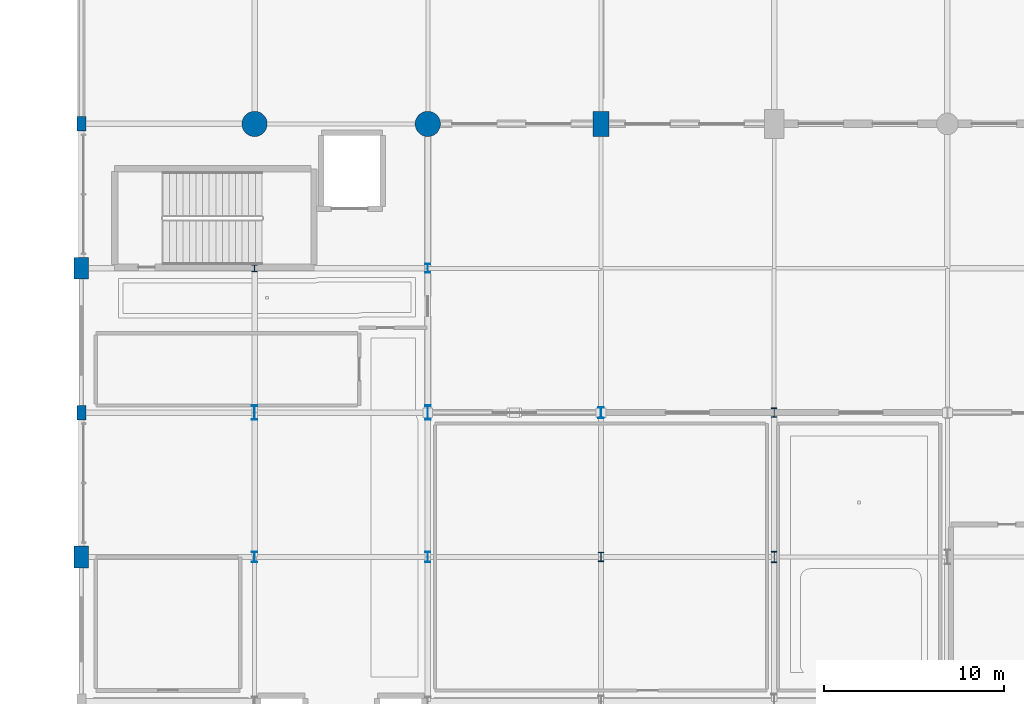
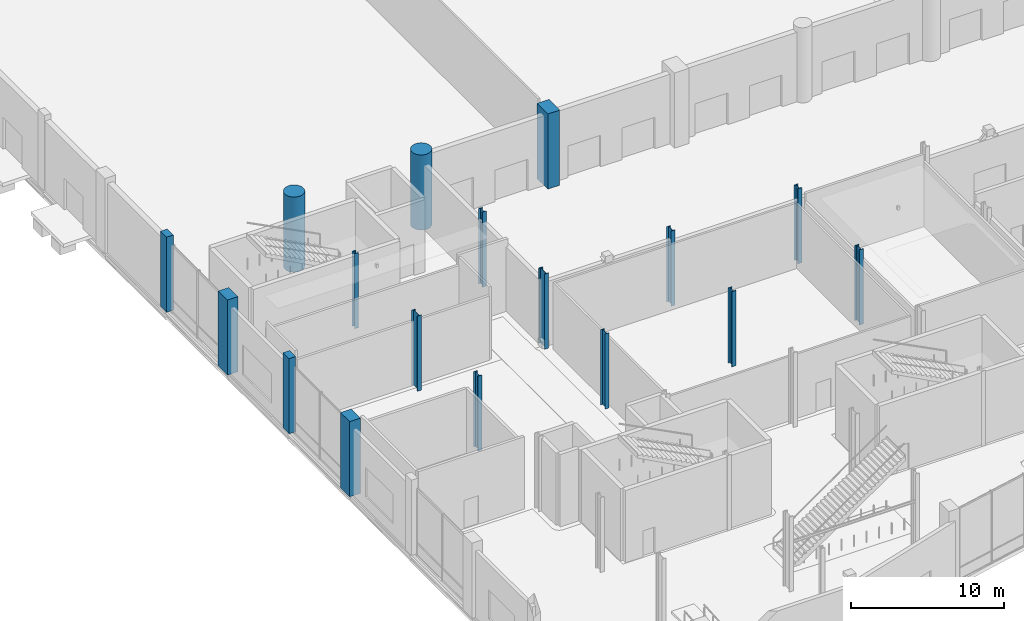
# One storey, part 8 of 124: 17 columns.
"""IFC4 building model written with IfcOpenShell, lengths in metres."""

from ifc_helpers import new_model, si_unit, direction, frame, origin, origin_2d, place, context, subcontext, project, spatial, rectangle, circle, i_section, extrude, material, material_profile, profile_set, type_object, element, save


model = new_model("IFC4")

# Units and contexts
model_context = context("Model", 3, precision=1e-05, world=origin(), true_north=direction((0.0, 1.0)))
body_context = subcontext(model_context, "Body", "Model", "MODEL_VIEW")
ifc_project = project(units=[si_unit("LENGTHUNIT", "METRE"), si_unit("AREAUNIT", "SQUARE_METRE"), si_unit("VOLUMEUNIT", "CUBIC_METRE"), si_unit("PLANEANGLEUNIT", "RADIAN"), si_unit("MASSUNIT", "GRAM", prefix="KILO")], contexts=[model_context])

# Site, building, storey
site_placement = place(None, origin())
site = spatial("IfcSite", under=ifc_project, at=site_placement, CompositionType="ELEMENT")
building_placement = place(site_placement, origin())
building = spatial("IfcBuilding", under=site, at=building_placement, Name="Danafjord Basin Convention Centre", CompositionType="ELEMENT")
storey_placement = place(building_placement, origin())
storey = spatial("IfcBuildingStorey", under=building, at=storey_placement, Name="L00", CompositionType="ELEMENT", Elevation=0.0)

# Columns
ifc_material_1 = material(Name="Steel S355", Category="steel")
ifc_material_profile_1 = material_profile(ifc_material_1, i_section(OverallWidth=0.300048828125, OverallDepth=0.360107421875, WebThickness=0.012451171875, FlangeThickness=0.0224609375, FilletRadius=0.027099609375, at=origin_2d()), Name="HEB 360")
ifc_profile_set_1 = profile_set([ifc_material_profile_1], Name="Steel S355")
column_type_1 = type_object("IfcColumnType", Name="COL-C-HEB360", PredefinedType="COLUMN", material=ifc_profile_set_1)
column_1_placement = place(storey_placement, frame((9.60009765625, 48.0, 0.0), z_axis=(0.0, 0.0, 1.0), x_axis=(1.0, 0.0, 0.0)))
element("IfcColumn", 1, at=column_1_placement, inside=storey, type_object=column_type_1, Name="L00 column C-HEB360 at (9.6, 48.0)", PredefinedType="COLUMN", context=body_context, shape_type="SweptSolid", body=[
    extrude(i_section(OverallWidth=0.300048828125, OverallDepth=0.360107421875, WebThickness=0.012451171875, FlangeThickness=0.0224609375, FilletRadius=0.027099609375, at=origin_2d()), origin(), (0.0, 0.0, 1.0), 6.0),
])
ifc_material_profile_2 = material_profile(ifc_material_1, i_section(OverallWidth=0.300048828125, OverallDepth=0.5, WebThickness=0.014404296875, FlangeThickness=0.028076171875, FilletRadius=0.027099609375, at=origin_2d()), Name="HEB 500")
ifc_profile_set_2 = profile_set([ifc_material_profile_2], Name="Steel S355")
column_type_2 = type_object("IfcColumnType", Name="COL-C-HEB500", PredefinedType="COLUMN", material=ifc_profile_set_2)
column_2_placement = place(storey_placement, frame((19.199951171875, 48.0, 0.0), z_axis=(0.0, 0.0, 1.0), x_axis=(1.0, 0.0, 0.0)))
element("IfcColumn", 2, at=column_2_placement, inside=storey, type_object=column_type_2, Name="L00 column C-HEB500 at (19.2, 48.0)", PredefinedType="COLUMN", context=body_context, shape_type="SweptSolid", body=[
    extrude(i_section(OverallWidth=0.300048828125, OverallDepth=0.5, WebThickness=0.014404296875, FlangeThickness=0.028076171875, FilletRadius=0.027099609375, at=origin_2d()), origin(), (0.0, 0.0, 1.0), 6.0),
])
ifc_material_profile_3 = material_profile(ifc_material_1, i_section(OverallWidth=0.300048828125, OverallDepth=0.60009765625, WebThickness=0.015380859375, FlangeThickness=0.030029296875, FilletRadius=0.027099609375, at=origin_2d()), Name="HEB 600")
ifc_profile_set_3 = profile_set([ifc_material_profile_3], Name="Steel S355")
column_type_3 = type_object("IfcColumnType", Name="COL-C-HEB600", PredefinedType="COLUMN", material=ifc_profile_set_3)
for number, where, z_axis, x_axis, name in (
    (3, (9.60009765625, 32.0, 0.0), (0.0, 0.0, 1.0), (1.0, 0.0, 0.0), "L00 column C-HEB600 at (9.6, 32.0)"),
    (4, (19.199951171875, 32.0, 0.0), (0.0, 0.0, 1.0), (1.0, 0.0, 0.0), "L00 column C-HEB600 at (19.2, 32.0)"),
    (5, (28.800048828125, 40.0, 0.0), (0.0, 0.0, 1.0), (1.0, 0.0, 0.0), "L00 column C-HEB600 at (28.8, 40.0)"),
):
    element("IfcColumn", number, at=place(storey_placement, frame(where, z_axis=z_axis, x_axis=x_axis)), inside=storey, type_object=column_type_3, Name=name, PredefinedType="COLUMN", context=body_context, shape_type="SweptSolid", body=[
        extrude(i_section(OverallWidth=0.300048828125, OverallDepth=0.60009765625, WebThickness=0.015380859375, FlangeThickness=0.030029296875, FilletRadius=0.027099609375, at=origin_2d()), origin(), (0.0, 0.0, 1.0), 6.0),
    ])
ifc_material_profile_4 = material_profile(ifc_material_1, i_section(OverallWidth=0.305908203125, OverallDepth=0.52392578125, WebThickness=0.02099609375, FlangeThickness=0.0400390625, FilletRadius=0.027099609375, at=origin_2d()), Name="HEM 500")
ifc_profile_set_4 = profile_set([ifc_material_profile_4], Name="Steel S355")
column_type_4 = type_object("IfcColumnType", Name="COL-C-HEM500", PredefinedType="COLUMN", material=ifc_profile_set_4)
for number, where, z_axis, x_axis, name in (
    (6, (28.800048828125, 32.0, 0.0), (0.0, 0.0, 1.0), (1.0, 0.0, 0.0), "L00 column C-HEM500 at (28.8, 32.0)"),
    (7, (38.39990234375, 40.0, 0.0), (0.0, 0.0, 1.0), (1.0, 0.0, 0.0), "L00 column C-HEM500 at (38.4, 40.0)"),
):
    element("IfcColumn", number, at=place(storey_placement, frame(where, z_axis=z_axis, x_axis=x_axis)), inside=storey, type_object=column_type_4, Name=name, PredefinedType="COLUMN", context=body_context, shape_type="SweptSolid", body=[
        extrude(i_section(OverallWidth=0.305908203125, OverallDepth=0.52392578125, WebThickness=0.02099609375, FlangeThickness=0.0400390625, FilletRadius=0.027099609375, at=origin_2d()), origin(), (0.0, 0.0, 1.0), 6.0),
    ])
ifc_material_profile_5 = material_profile(ifc_material_1, i_section(OverallWidth=0.304931640625, OverallDepth=0.6201171875, WebThickness=0.02099609375, FlangeThickness=0.0400390625, FilletRadius=0.027099609375, at=origin_2d()), Name="HEM 600")
ifc_profile_set_5 = profile_set([ifc_material_profile_5], Name="Steel S355")
column_type_5 = type_object("IfcColumnType", Name="COL-C-HEM600", PredefinedType="COLUMN", material=ifc_profile_set_5)
column_3_placement = place(storey_placement, frame((38.39990234375, 32.0, 0.0), z_axis=(0.0, 0.0, 1.0), x_axis=(1.0, 0.0, 0.0)))
element("IfcColumn", 8, at=column_3_placement, inside=storey, type_object=column_type_5, Name="L00 column C-HEM600 at (38.4, 32.0)", PredefinedType="COLUMN", context=body_context, shape_type="SweptSolid", body=[
    extrude(i_section(OverallWidth=0.304931640625, OverallDepth=0.6201171875, WebThickness=0.02099609375, FlangeThickness=0.0400390625, FilletRadius=0.027099609375, at=origin_2d()), origin(), (0.0, 0.0, 1.0), 6.0),
])
ifc_material_profile_6 = material_profile(ifc_material_1, i_section(OverallWidth=0.302978515625, OverallDepth=0.81396484375, WebThickness=0.02099609375, FlangeThickness=0.0400390625, FilletRadius=0.030029296875, at=origin_2d()), Name="HEM 800")
ifc_profile_set_6 = profile_set([ifc_material_profile_6], Name="Steel S355")
column_type_6 = type_object("IfcColumnType", Name="COL-C-HEM800", PredefinedType="COLUMN", material=ifc_profile_set_6)
for number, where, z_axis, x_axis, name in (
    (9, (9.60009765625, 40.0, 0.0), (0.0, 0.0, 1.0), (1.0, 0.0, 0.0), "L00 column C-HEM800 at (9.6, 40.0)"),
    (10, (19.199951171875, 40.0, 0.0), (0.0, 0.0, 1.0), (1.0, 0.0, 0.0), "L00 column C-HEM800 at (19.2, 40.0)"),
):
    element("IfcColumn", number, at=place(storey_placement, frame(where, z_axis=z_axis, x_axis=x_axis)), inside=storey, type_object=column_type_6, Name=name, PredefinedType="COLUMN", context=body_context, shape_type="SweptSolid", body=[
        extrude(i_section(OverallWidth=0.302978515625, OverallDepth=0.81396484375, WebThickness=0.02099609375, FlangeThickness=0.0400390625, FilletRadius=0.030029296875, at=origin_2d()), origin(), (0.0, 0.0, 1.0), 6.0),
    ])
ifc_material_2 = material(Name="Precast concrete C45/55", Category="concrete")
ifc_material_profile_7 = material_profile(ifc_material_2, rectangle(XDim=0.800048828125, YDim=1.199951171875, at=origin_2d()), Name="RC 1200x800")
ifc_profile_set_7 = profile_set([ifc_material_profile_7], Name="Precast concrete C45/55")
column_type_7 = type_object("IfcColumnType", Name="COL-C-PIL1200", PredefinedType="PILASTER", material=ifc_profile_set_7)
for number, where, z_axis, x_axis, name in (
    (11, (0.0, 32.0, 0.0), (0.0, 0.0, 1.0), (1.0, 0.0, 0.0), "L00 column C-PIL1200 at (0.0, 32.0)"),
    (12, (0.0, 48.0, 0.0), (0.0, 0.0, 1.0), (1.0, 0.0, 0.0), "L00 column C-PIL1200 at (0.0, 48.0)"),
):
    element("IfcColumn", number, at=place(storey_placement, frame(where, z_axis=z_axis, x_axis=x_axis)), inside=storey, type_object=column_type_7, Name=name, PredefinedType="PILASTER", context=body_context, shape_type="SweptSolid", body=[
        extrude(rectangle(XDim=0.800048828125, YDim=1.199951171875, at=origin_2d()), origin(), (0.0, 0.0, 1.0), 6.0),
    ])
ifc_material_profile_8 = material_profile(ifc_material_2, rectangle(XDim=0.5, YDim=0.800048828125, at=origin_2d()), Name="PCB 500x800")
ifc_profile_set_8 = profile_set([ifc_material_profile_8], Name="Precast concrete C45/55")
column_type_8 = type_object("IfcColumnType", Name="COL-C-PIL800", PredefinedType="PILASTER", material=ifc_profile_set_8)
for number, where, z_axis, x_axis, name in (
    (13, (0.0, 40.0, 0.0), (0.0, 0.0, 1.0), (1.0, 0.0, 0.0), "L00 column C-PIL800 at (0.0, 40.0)"),
    (14, (0.0, 56.0, 0.0), (0.0, 0.0, 1.0), (1.0, 0.0, 0.0), "L00 column C-PIL800 at (0.0, 56.0)"),
):
    element("IfcColumn", number, at=place(storey_placement, frame(where, z_axis=z_axis, x_axis=x_axis)), inside=storey, type_object=column_type_8, Name=name, PredefinedType="PILASTER", context=body_context, shape_type="SweptSolid", body=[
        extrude(rectangle(XDim=0.5, YDim=0.800048828125, at=origin_2d()), origin(), (0.0, 0.0, 1.0), 6.0),
    ])
ifc_material_3 = material(Name="Concrete C50/60", Category="concrete")
ifc_material_profile_9 = material_profile(ifc_material_3, rectangle(XDim=0.89990234375, YDim=1.39990234375, at=origin_2d()), Name="RC 1400x900")
ifc_profile_set_9 = profile_set([ifc_material_profile_9], Name="Concrete C50/60")
column_type_9 = type_object("IfcColumnType", Name="COL-C-RC1400", PredefinedType="COLUMN", material=ifc_profile_set_9)
column_4_placement = place(storey_placement, frame((28.800048828125, 56.0, 0.0), z_axis=(0.0, 0.0, 1.0), x_axis=(1.0, 0.0, 0.0)))
element("IfcColumn", 15, at=column_4_placement, inside=storey, type_object=column_type_9, Name="L00 column C-RC1400 at (28.8, 56.0)", PredefinedType="COLUMN", context=body_context, shape_type="SweptSolid", body=[
    extrude(rectangle(XDim=0.89990234375, YDim=1.39990234375, at=origin_2d()), origin(), (0.0, 0.0, 1.0), 6.0),
])
ifc_material_profile_10 = material_profile(ifc_material_3, circle(Radius=0.699951171875, at=origin_2d()), Name="RC D1400")
ifc_profile_set_10 = profile_set([ifc_material_profile_10], Name="Concrete C50/60")
column_type_10 = type_object("IfcColumnType", Name="COL-C-RCD1400", PredefinedType="COLUMN", material=ifc_profile_set_10)
for number, where, z_axis, x_axis, name in (
    (16, (9.60009765625, 56.0, 0.0), (0.0, 0.0, 1.0), (1.0, 0.0, 0.0), "L00 column C-RCD1400 at (9.6, 56.0)"),
    (17, (19.199951171875, 56.0, 0.0), (0.0, 0.0, 1.0), (1.0, 0.0, 0.0), "L00 column C-RCD1400 at (19.2, 56.0)"),
):
    element("IfcColumn", number, at=place(storey_placement, frame(where, z_axis=z_axis, x_axis=x_axis)), inside=storey, type_object=column_type_10, Name=name, PredefinedType="COLUMN", context=body_context, shape_type="SweptSolid", body=[
        extrude(circle(Radius=0.699951171875, at=origin_2d()), origin(), (0.0, 0.0, 1.0), 6.0),
    ])

save(model, "model.ifc")
